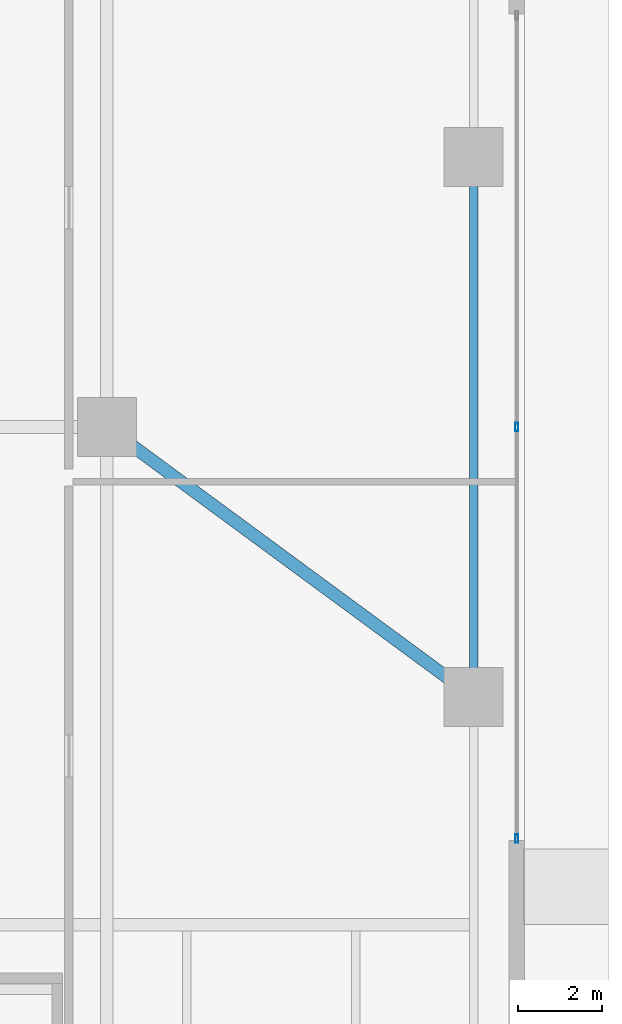
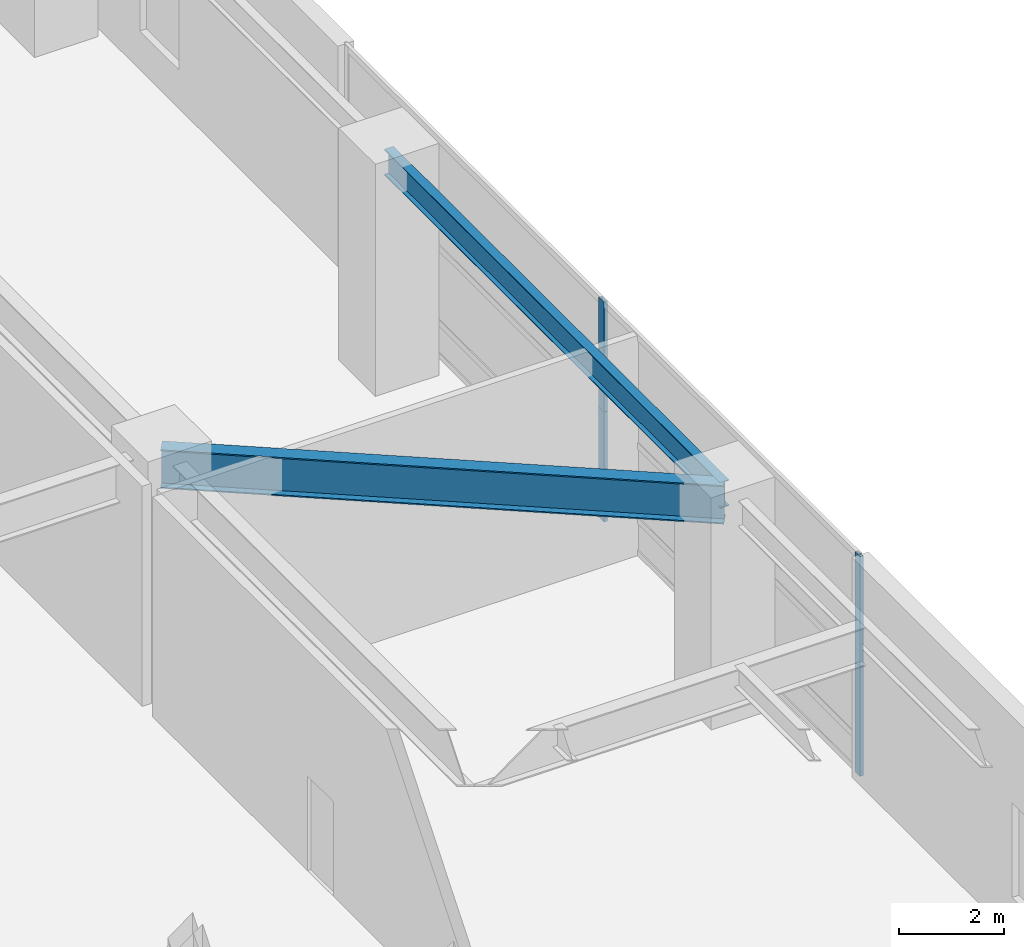
# One storey, part 20 of 32: 4 members, 2 beams, 1 element without a shape of its own.
"""IFC4 building model written with IfcOpenShell, lengths in metres."""

from ifc_helpers import new_model, si_unit, direction, frame, origin, origin_2d, place, context, subcontext, project, spatial, hollow_rectangle, i_section, extrude, source, transform, mapped, material, layer, layer_set, material_profile, profile_set, type_object, element, aggregate, save


model = new_model("IFC4")

# Units and contexts
model_context = context("Model", 3, precision=1e-05, world=origin(), true_north=direction((0.0, 1.0)))
body_context = subcontext(model_context, "Body", "Model", "MODEL_VIEW")
ifc_project = project(units=[si_unit("LENGTHUNIT", "METRE"), si_unit("AREAUNIT", "SQUARE_METRE"), si_unit("VOLUMEUNIT", "CUBIC_METRE"), si_unit("PLANEANGLEUNIT", "RADIAN"), si_unit("MASSUNIT", "GRAM", prefix="KILO"), si_unit("THERMODYNAMICTEMPERATUREUNIT", "KELVIN"), si_unit("POWERUNIT", "WATT")], contexts=[model_context])

# Site, building, storey
site_placement = place(None, origin())
site = spatial("IfcSite", under=ifc_project, at=site_placement, CompositionType="ELEMENT")
building_placement = place(site_placement, origin())
building = spatial("IfcBuilding", under=site, at=building_placement, Name="Yuzanri Waterfront Tower", CompositionType="ELEMENT")
storey_placement = place(building_placement, origin())
storey = spatial("IfcBuildingStorey", under=building, at=storey_placement, Name="L01", CompositionType="ELEMENT", Elevation=0.0)

# Beams
ifc_material_1 = material(Name="Steel Q355B", Category="steel")
ifc_material_profile_1 = material_profile(ifc_material_1, i_section(OverallWidth=0.199951171875, OverallDepth=0.60009765625, WebThickness=0.010986328125, FlangeThickness=0.01708984375, at=origin_2d()), Name="HN 600x200x11x17")
ifc_profile_set_1 = profile_set([ifc_material_profile_1], Name="Steel Q355B")
beam_type_1 = type_object("IfcBeamType", Name="Perimeter Spandrel Q355B HN 600x200", PredefinedType="SPANDREL", material=ifc_profile_set_1)
shared_shape_1 = source(origin(), body_context, "Body", "SweptSolid", [
    extrude(i_section(OverallWidth=0.199951171875, OverallDepth=0.60009765625, WebThickness=0.010986328125, FlangeThickness=0.01708984375, at=origin_2d()), origin(), (0.0, 0.0, 1.0), 12.800048828125),
])
beam_1_placement = place(storey_placement, frame((70.800048828125, 19.39990234375, 4.820068359375), z_axis=(0.0, 1.0, 0.0), x_axis=(-1.0, 0.0, 0.0)))
element("IfcBeam", 1, at=beam_1_placement, inside=storey, type_object=beam_type_1, Name="L01 East Podium Spandrel 2", PredefinedType="SPANDREL", context=body_context, shape_type="MappedRepresentation", body=[
    mapped(shared_shape_1, transform((0.0, 0.0, 0.0), scale=1.0)),
])
ifc_material_2 = material(Name="Steel Q355B", Category="steel")
ifc_material_profile_2 = material_profile(ifc_material_2, i_section(OverallWidth=0.300048828125, OverallDepth=0.89990234375, WebThickness=0.01611328125, FlangeThickness=0.028076171875, at=origin_2d()), Name="HN 900x300x16x28")
ifc_profile_set_2 = profile_set([ifc_material_profile_2], Name="Steel Q355B")
beam_type_2 = type_object("IfcBeamType", Name="Primary Podium Girder Q355B HN 900x300", PredefinedType="BEAM", material=ifc_profile_set_2)
shared_shape_2 = source(origin(), body_context, "Body", "SweptSolid", [
    extrude(i_section(OverallWidth=0.300048828125, OverallDepth=0.89990234375, WebThickness=0.01611328125, FlangeThickness=0.028076171875, at=origin_2d()), origin(), (0.0, 0.0, 1.0), 10.800537109375),
])
beam_2_placement = place(storey_placement, frame((62.10009765625, 25.800048828125, 4.669921875), z_axis=(0.805512964712, -0.592578149851, 0.0), x_axis=(0.592578149851, 0.805512964712, 0.0)))
element("IfcBeam", 2, at=beam_2_placement, inside=storey, type_object=beam_type_2, Name="L01 Podium East Girder 2", PredefinedType="BEAM", context=body_context, shape_type="MappedRepresentation", body=[
    mapped(shared_shape_2, transform((0.0, 0.0, 0.0), scale=1.0)),
])

# Curtain wall, members
ifc_material_3 = material(Name="Anodized Architectural Bronze", Category="metal")
ifc_layer = layer(ifc_material_3, 0.159912109375)
ifc_layer_set = layer_set([ifc_layer], Name="Anodized Architectural Bronze")
curtain_wall_type = type_object("IfcCurtainWallType", Name="Anodized Bronze Podium Waterfront Double-Height Unitized Curtain Wall 8400", PredefinedType="NOTDEFINED", material=ifc_layer_set)
curtain_wall_placement = place(storey_placement, origin())
curtain_wall = element("IfcCurtainWall", 3, at=curtain_wall_placement, inside=storey, type_object=curtain_wall_type, Name="L01 Curtain Wall CW-L01-E", PredefinedType="NOTDEFINED")
ifc_material_4 = material(Name="Anodized Architectural Bronze", Category="metal")
ifc_material_profile_3 = material_profile(ifc_material_4, hollow_rectangle(XDim=0.074951171875, YDim=0.199951171875, WallThickness=0.00390625, at=origin_2d()), Name="CWM 75x200")
ifc_profile_set_3 = profile_set([ifc_material_profile_3], Name="Anodized Architectural Bronze")
member_type = type_object("IfcMemberType", Name="Anodized Bronze Primary Curtain-Wall Mullion 75x200", PredefinedType="MULLION", material=ifc_profile_set_3)
shared_shape_3 = source(origin(), body_context, "Body", "SweptSolid", [
    extrude(hollow_rectangle(XDim=0.074951171875, YDim=0.199951171875, WallThickness=0.00390625, at=origin_2d()), origin(), (0.0, 0.0, 1.0), 2.55810546875),
])
member_1_placement = place(storey_placement, frame((71.820068359375, 16.0400390625, 0.0), z_axis=(0.0, 0.0, 1.0), x_axis=(1.0, 0.0, 0.0)))
member_1 = element("IfcMember", 4, at=member_1_placement, type_object=member_type, Name="CW-L01-E Lower Mullion 00", PredefinedType="MULLION", context=body_context, shape_type="MappedRepresentation", body=[
    mapped(shared_shape_3, transform((0.0, 0.0, 0.0), scale=1.0)),
])
member_2_placement = place(storey_placement, frame((71.820068359375, 16.0400390625, 2.56201171875), z_axis=(0.0, 0.0, 1.0), x_axis=(1.0, 0.0, 0.0)))
member_2 = element("IfcMember", 5, at=member_2_placement, type_object=member_type, Name="CW-L01-E Upper Mullion 00", PredefinedType="MULLION", context=body_context, shape_type="MappedRepresentation", body=[
    mapped(shared_shape_3, transform((0.0, 0.0, 0.0), scale=1.0)),
])
member_3_placement = place(storey_placement, frame((71.820068359375, 25.800048828125, 0.0), z_axis=(0.0, 0.0, 1.0), x_axis=(1.0, 0.0, 0.0)))
member_3 = element("IfcMember", 6, at=member_3_placement, type_object=member_type, Name="CW-L01-E Lower Mullion 01", PredefinedType="MULLION", context=body_context, shape_type="MappedRepresentation", body=[
    mapped(shared_shape_3, transform((0.0, 0.0, 0.0), scale=1.0)),
])
member_4_placement = place(storey_placement, frame((71.820068359375, 25.800048828125, 2.56201171875), z_axis=(0.0, 0.0, 1.0), x_axis=(1.0, 0.0, 0.0)))
member_4 = element("IfcMember", 7, at=member_4_placement, type_object=member_type, Name="CW-L01-E Upper Mullion 01", PredefinedType="MULLION", context=body_context, shape_type="MappedRepresentation", body=[
    mapped(shared_shape_3, transform((0.0, 0.0, 0.0), scale=1.0)),
])
aggregate(curtain_wall, [member_1, member_2, member_3, member_4])

save(model, "model.ifc")
